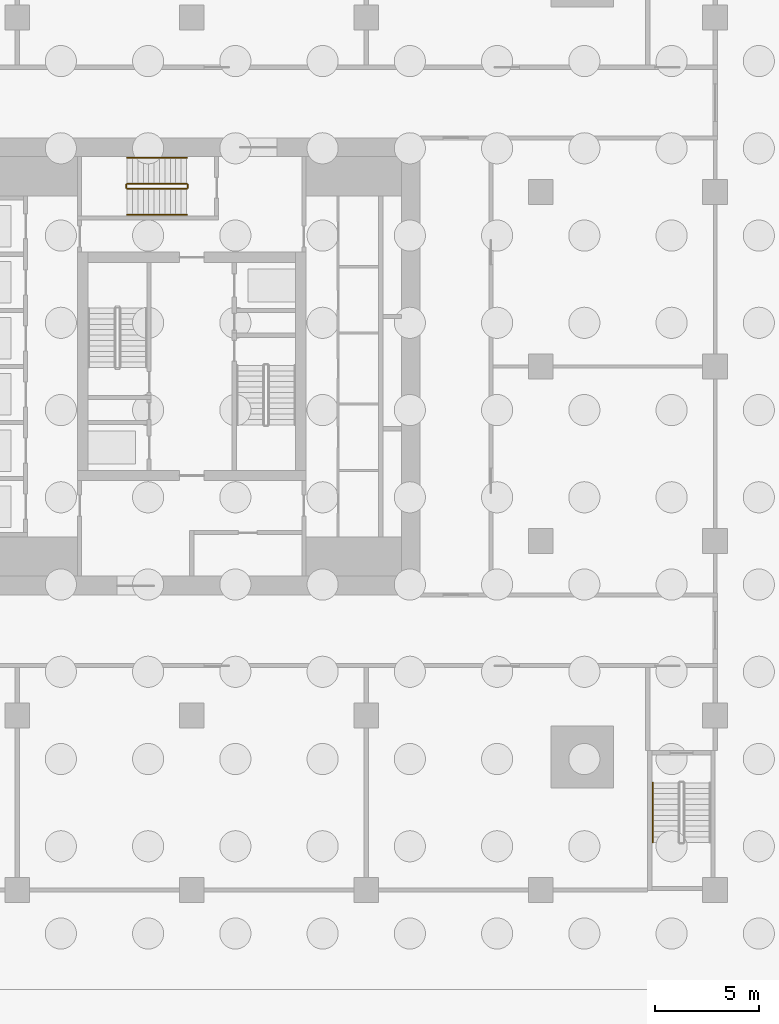
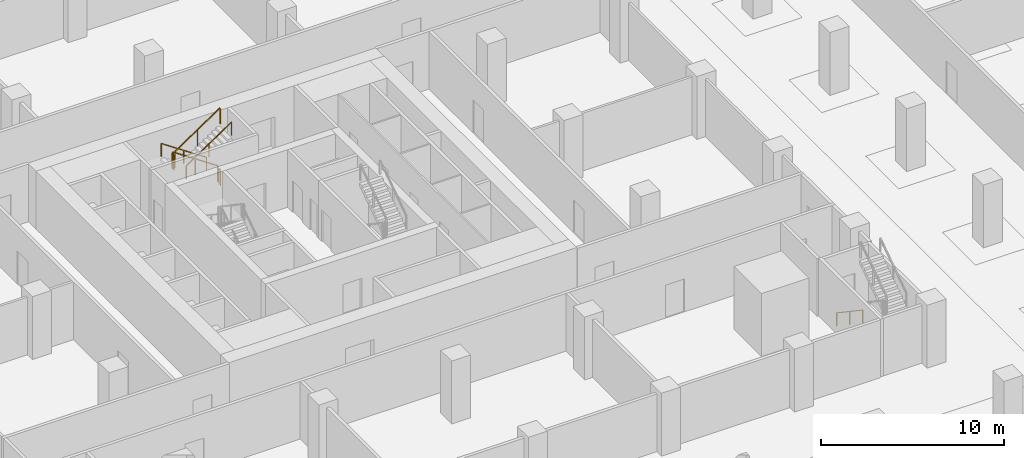
# One storey, part 15 of 19: 7 railings.
"""IFC4 building model written with IfcOpenShell, lengths in metres."""

from ifc_helpers import new_model, si_unit, direction, frame, origin, origin_2d, place, context, subcontext, project, spatial, rectangle, extrude, material, type_object, element, save


model = new_model("IFC4")

# Units and contexts
model_context = context("Model", 3, precision=1e-05, world=origin(), true_north=direction((0.0, 1.0)))
body_context = subcontext(model_context, "Body", "Model", "MODEL_VIEW")
ifc_project = project(units=[si_unit("LENGTHUNIT", "METRE"), si_unit("AREAUNIT", "SQUARE_METRE"), si_unit("VOLUMEUNIT", "CUBIC_METRE"), si_unit("PLANEANGLEUNIT", "RADIAN"), si_unit("MASSUNIT", "GRAM", prefix="KILO")], contexts=[model_context])

# Site, building, storey
site_placement = place(None, origin())
site = spatial("IfcSite", under=ifc_project, at=site_placement, CompositionType="ELEMENT")
building_placement = place(site_placement, origin())
building = spatial("IfcBuilding", under=site, at=building_placement, Name="Khepri Terraces", CompositionType="ELEMENT")
storey_placement = place(building_placement, frame((0.0, 0.0, -8.39990234375)))
storey = spatial("IfcBuildingStorey", under=building, at=storey_placement, Name="B2", CompositionType="ELEMENT", Elevation=-8.39990234375)

# Railings
ifc_material = material(Name="Stainless steel 316", Category="steel")
railing_type_1 = type_object("IfcRailingType", Name="RL-CORE-GUARD", PredefinedType="GUARDRAIL", material=ifc_material)
railing_1_placement = place(storey_placement, frame((-0.25, 8.800048828125, 0.1748046875)))
element("IfcRailing", 1, at=railing_1_placement, inside=storey, type_object=railing_type_1, Name="B2 ST-3 stair guard 1", PredefinedType="GUARDRAIL", context=body_context, shape_type="SweptSolid", body=[
    extrude(rectangle(XDim=0.050048828125, YDim=0.06005859375, at=origin_2d()), frame((0.0, 0.0, 1.070068359375), z_axis=(-0.829590901723, 0.0, 0.558371682465), x_axis=(0.0, -1.0, 0.0)), (0.0, 0.0, 1.0), 3.447509765625),
    extrude(rectangle(XDim=0.050048828125, YDim=0.050048828125, at=origin_2d()), origin(), (0.0, 0.0, 1.0), 1.0400390625),
    extrude(rectangle(XDim=0.050048828125, YDim=0.050048828125, at=origin_2d()), frame((-1.43017578125, 0.0, 0.96240234375)), (0.0, 0.0, 1.0), 1.0400390625),
    extrude(rectangle(XDim=0.050048828125, YDim=0.050048828125, at=origin_2d()), frame((-2.860107421875, 0.0, 1.925048828125)), (0.0, 0.0, 1.0), 1.0400390625),
])
railing_2_placement = place(storey_placement, frame((-3.159912109375, 8.75, 2.099853515625)))
element("IfcRailing", 2, at=railing_2_placement, inside=storey, type_object=railing_type_1, Name="B2 ST-3 stair guard 2", PredefinedType="GUARDRAIL", context=body_context, shape_type="SweptSolid", body=[
    extrude(rectangle(XDim=0.050048828125, YDim=0.06005859375, at=origin_2d()), frame((0.0, 0.0, 1.070068359375), z_axis=(0.0, -1.0, 0.0), x_axis=(1.0, 0.0, 0.0)), (0.0, 0.0, 1.0), 0.14990234375),
    extrude(rectangle(XDim=0.050048828125, YDim=0.050048828125, at=origin_2d()), origin(), (0.0, 0.0, 1.0), 1.0400390625),
    extrude(rectangle(XDim=0.050048828125, YDim=0.050048828125, at=origin_2d()), frame((0.0, -0.14990234375, 0.0)), (0.0, 0.0, 1.0), 1.0400390625),
])
railing_3_placement = place(storey_placement, frame((-3.110107421875, 8.550048828125, 2.27490234375)))
element("IfcRailing", 3, at=railing_3_placement, inside=storey, type_object=railing_type_1, Name="B2 ST-3 stair guard 3", PredefinedType="GUARDRAIL", context=body_context, shape_type="SweptSolid", body=[
    extrude(rectangle(XDim=0.050048828125, YDim=0.06005859375, at=origin_2d()), frame((0.0, 0.0, 1.070068359375), z_axis=(0.829590901723, 0.0, 0.558371682465), x_axis=(0.0, 1.0, 0.0)), (0.0, 0.0, 1.0), 3.447509765625),
    extrude(rectangle(XDim=0.050048828125, YDim=0.050048828125, at=origin_2d()), origin(), (0.0, 0.0, 1.0), 1.0400390625),
    extrude(rectangle(XDim=0.050048828125, YDim=0.050048828125, at=origin_2d()), frame((1.43017578125, 0.0, 0.96240234375)), (0.0, 0.0, 1.0), 1.0400390625),
    extrude(rectangle(XDim=0.050048828125, YDim=0.050048828125, at=origin_2d()), frame((2.860107421875, 0.0, 1.925048828125)), (0.0, 0.0, 1.0), 1.0400390625),
])
railing_4_placement = place(storey_placement, frame((-0.199951171875, 8.75, 0.0)))
element("IfcRailing", 4, at=railing_4_placement, inside=storey, type_object=railing_type_1, Name="B2 ST-3 stair guard 4", PredefinedType="GUARDRAIL", context=body_context, shape_type="SweptSolid", body=[
    extrude(rectangle(XDim=0.050048828125, YDim=0.06005859375, at=origin_2d()), frame((0.0, 0.0, 1.070068359375), z_axis=(0.0, -1.0, 0.0), x_axis=(1.0, 0.0, 0.0)), (0.0, 0.0, 1.0), 0.14990234375),
    extrude(rectangle(XDim=0.050048828125, YDim=0.050048828125, at=origin_2d()), origin(), (0.0, 0.0, 1.0), 1.0400390625),
    extrude(rectangle(XDim=0.050048828125, YDim=0.050048828125, at=origin_2d()), frame((0.0, -0.14990234375, 0.0)), (0.0, 0.0, 1.0), 1.0400390625),
])
railing_type_2 = type_object("IfcRailingType", Name="RL-CORE-HANDRAIL", PredefinedType="HANDRAIL", material=ifc_material)
railing_5_placement = place(storey_placement, frame((-0.25, 10.050048828125, 0.1748046875)))
element("IfcRailing", 5, at=railing_5_placement, inside=storey, type_object=railing_type_2, Name="B2 ST-3 stair handrail 1", PredefinedType="HANDRAIL", context=body_context, shape_type="SweptSolid", body=[
    extrude(rectangle(XDim=0.050048828125, YDim=0.050048828125, at=origin_2d()), frame((0.0, 0.0, 0.875), z_axis=(-0.829590901723, 0.0, 0.558371682465), x_axis=(0.0, -1.0, 0.0)), (0.0, 0.0, 1.0), 3.447509765625),
    extrude(rectangle(XDim=0.050048828125, YDim=0.050048828125, at=origin_2d()), origin(), (0.0, 0.0, 1.0), 0.849853515625),
    extrude(rectangle(XDim=0.050048828125, YDim=0.050048828125, at=origin_2d()), frame((-1.43017578125, 0.0, 0.96240234375)), (0.0, 0.0, 1.0), 0.849853515625),
    extrude(rectangle(XDim=0.050048828125, YDim=0.050048828125, at=origin_2d()), frame((-2.860107421875, 0.0, 1.925048828125)), (0.0, 0.0, 1.0), 0.849853515625),
])
railing_6_placement = place(storey_placement, frame((-3.110107421875, 7.300048828125, 2.27490234375)))
element("IfcRailing", 6, at=railing_6_placement, inside=storey, type_object=railing_type_2, Name="B2 ST-3 stair handrail 2", PredefinedType="HANDRAIL", context=body_context, shape_type="SweptSolid", body=[
    extrude(rectangle(XDim=0.050048828125, YDim=0.050048828125, at=origin_2d()), frame((0.0, 0.0, 0.875), z_axis=(0.829590901723, 0.0, 0.558371682465), x_axis=(0.0, 1.0, 0.0)), (0.0, 0.0, 1.0), 3.447509765625),
    extrude(rectangle(XDim=0.050048828125, YDim=0.050048828125, at=origin_2d()), origin(), (0.0, 0.0, 1.0), 0.849853515625),
    extrude(rectangle(XDim=0.050048828125, YDim=0.050048828125, at=origin_2d()), frame((1.43017578125, 0.0, 0.96240234375)), (0.0, 0.0, 1.0), 0.849853515625),
    extrude(rectangle(XDim=0.050048828125, YDim=0.050048828125, at=origin_2d()), frame((2.860107421875, 0.0, 1.925048828125)), (0.0, 0.0, 1.0), 0.849853515625),
])
railing_type_3 = type_object("IfcRailingType", Name="RL-POD-HANDRAIL", PredefinedType="HANDRAIL", material=ifc_material)
railing_7_placement = place(storey_placement, frame((22.199951171875, -20.050048828125, 0.1748046875)))
element("IfcRailing", 7, at=railing_7_placement, inside=storey, type_object=railing_type_3, Name="B2 PS-3 stair handrail 1", PredefinedType="HANDRAIL", context=body_context, shape_type="SweptSolid", body=[
    extrude(rectangle(XDim=0.050048828125, YDim=0.050048828125, at=origin_2d()), frame((0.0, 0.0, 0.875), z_axis=(0.0, -0.829568821333, 0.558404486615), x_axis=(1.0, 0.0, 0.0)), (0.0, 0.0, 1.0), 3.447509765625),
    extrude(rectangle(XDim=0.050048828125, YDim=0.050048828125, at=origin_2d()), origin(), (0.0, 0.0, 1.0), 0.849853515625),
    extrude(rectangle(XDim=0.050048828125, YDim=0.050048828125, at=origin_2d()), frame((0.0, -1.429931640625, 0.96240234375)), (0.0, 0.0, 1.0), 0.849853515625),
    extrude(rectangle(XDim=0.050048828125, YDim=0.050048828125, at=origin_2d()), frame((0.0, -2.85986328125, 1.925048828125)), (0.0, 0.0, 1.0), 0.849853515625),
])

save(model, "model.ifc")
